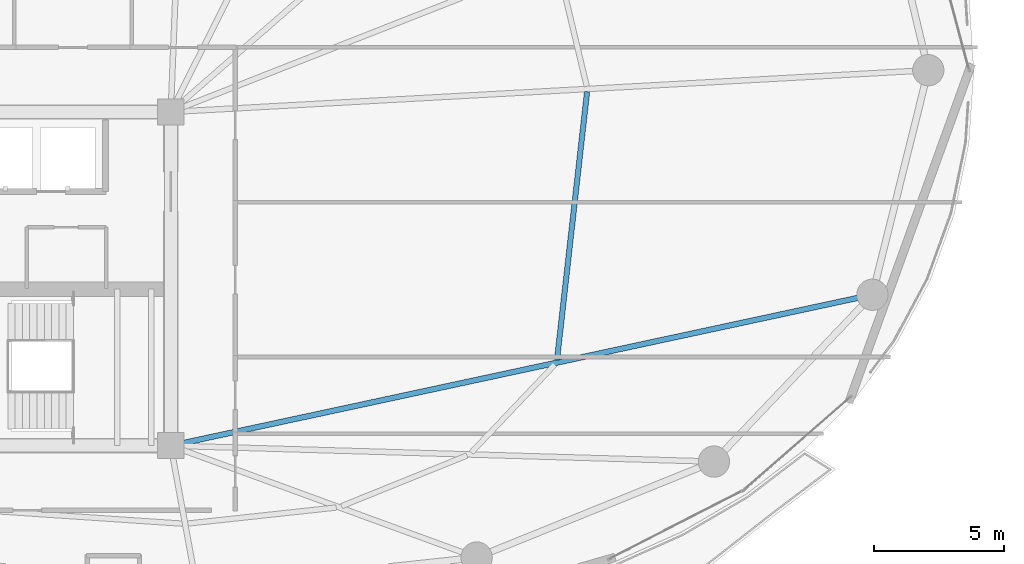
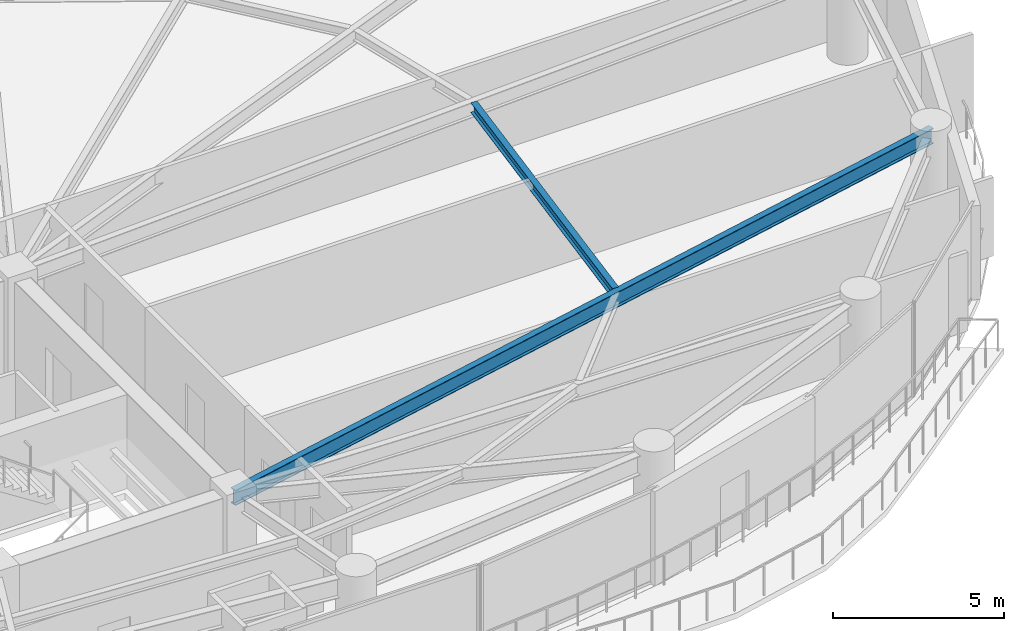
# One storey, part 12 of 28: 2 beams.
"""IFC4 building model written with IfcOpenShell, lengths in metres."""

from ifc_helpers import new_model, si_unit, direction, frame, origin, origin_2d, place, context, subcontext, project, spatial, i_section, extrude, material, material_profile, profile_set, type_object, element, save


model = new_model("IFC4")

# Units and contexts
model_context = context("Model", 3, precision=1e-05, world=origin(), true_north=direction((0.0, 1.0)))
body_context = subcontext(model_context, "Body", "Model", "MODEL_VIEW")
ifc_project = project(units=[si_unit("LENGTHUNIT", "METRE"), si_unit("AREAUNIT", "SQUARE_METRE"), si_unit("VOLUMEUNIT", "CUBIC_METRE"), si_unit("PLANEANGLEUNIT", "RADIAN"), si_unit("MASSUNIT", "GRAM", prefix="KILO")], contexts=[model_context])

# Site, building, storey
site_placement = place(None, origin())
site = spatial("IfcSite", under=ifc_project, at=site_placement, CompositionType="ELEMENT")
building_placement = place(site_placement, origin())
building = spatial("IfcBuilding", under=site, at=building_placement, Name="Kazevale Care Tower and Concert Hall", CompositionType="ELEMENT")
storey_placement = place(building_placement, frame((0.0, 0.0, 102.60009765625)))
storey = spatial("IfcBuildingStorey", under=building, at=storey_placement, Name="L26", CompositionType="ELEMENT", Elevation=102.60009765625)

# Beams
ifc_material = material(Name="Steel ASTM A572 Gr 50", Category="steel")
ifc_material_profile_1 = material_profile(ifc_material, i_section(OverallWidth=0.2119140625, OverallDepth=0.5439453125, WebThickness=0.01318359375, FlangeThickness=0.021240234375, at=origin_2d()), Name="W530x123")
ifc_profile_set_1 = profile_set([ifc_material_profile_1], Name="Steel ASTM A572 Gr 50")
beam_type_1 = type_object("IfcBeamType", Name="Radial Floor Girder W530x123", PredefinedType="BEAM", material=ifc_profile_set_1)
beam_1_placement = place(storey_placement, frame((44.0, 23.60009765625, 3.087890625), z_axis=(0.97762801725, 0.210341293823, 0.0), x_axis=(-0.210341293823, 0.97762801725, 0.0)))
element("IfcBeam", 1, at=beam_1_placement, inside=storey, type_object=beam_type_1, Name="beam:L26:rad:16", PredefinedType="BEAM", context=body_context, shape_type="SweptSolid", body=[
    extrude(i_section(OverallWidth=0.2119140625, OverallDepth=0.5439453125, WebThickness=0.01318359375, FlangeThickness=0.021240234375, at=origin_2d()), origin(), (0.0, 0.0, 1.0), 27.525634765625),
])
ifc_material_profile_2 = material_profile(ifc_material, i_section(OverallWidth=0.205078125, OverallDepth=0.35400390625, WebThickness=0.009521484375, FlangeThickness=0.016845703125, at=origin_2d()), Name="W360x79")
ifc_profile_set_2 = profile_set([ifc_material_profile_2], Name="Steel ASTM A572 Gr 50")
beam_type_2 = type_object("IfcBeamType", Name="Secondary Floor Joist W360x79", PredefinedType="JOIST", material=ifc_profile_set_2)
beam_2_placement = place(storey_placement, frame((58.81201171875, 26.888916015625, 3.182861328125), z_axis=(0.111485011105, 0.993766115491, 0.0), x_axis=(-0.993766115491, 0.111485011105, 0.0)))
element("IfcBeam", 2, at=beam_2_placement, inside=storey, type_object=beam_type_2, Name="beam:L26:joist:16", PredefinedType="JOIST", context=body_context, shape_type="SweptSolid", body=[
    extrude(i_section(OverallWidth=0.205078125, OverallDepth=0.35400390625, WebThickness=0.009521484375, FlangeThickness=0.016845703125, at=origin_2d()), origin(), (0.0, 0.0, 1.0), 10.3515625),
])

save(model, "model.ifc")
